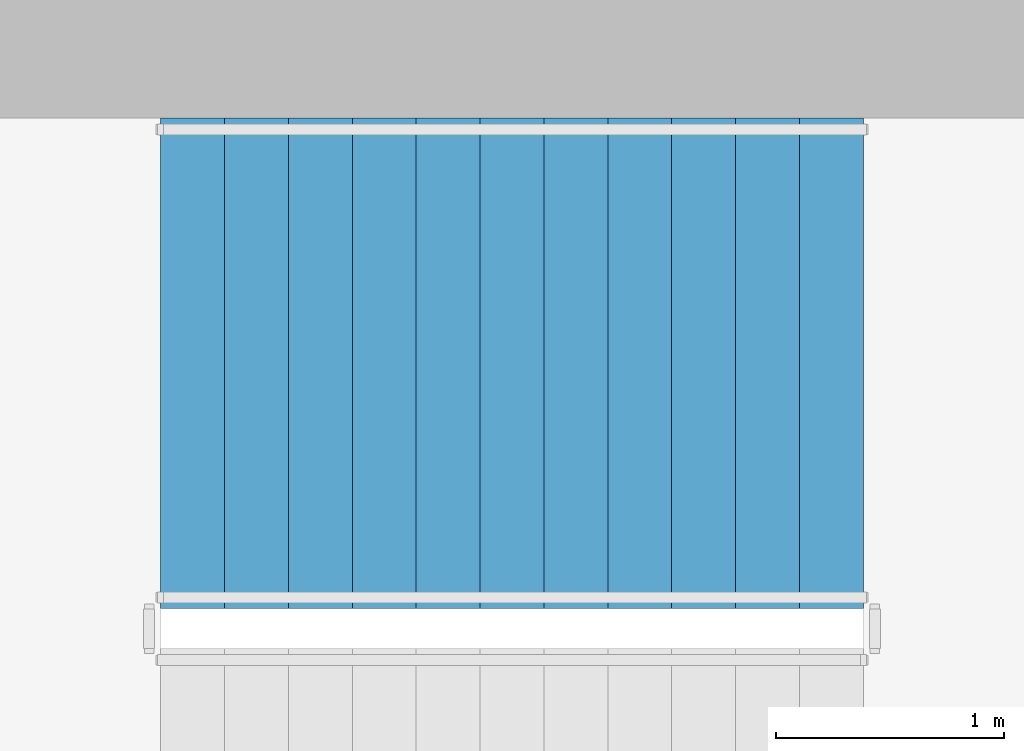
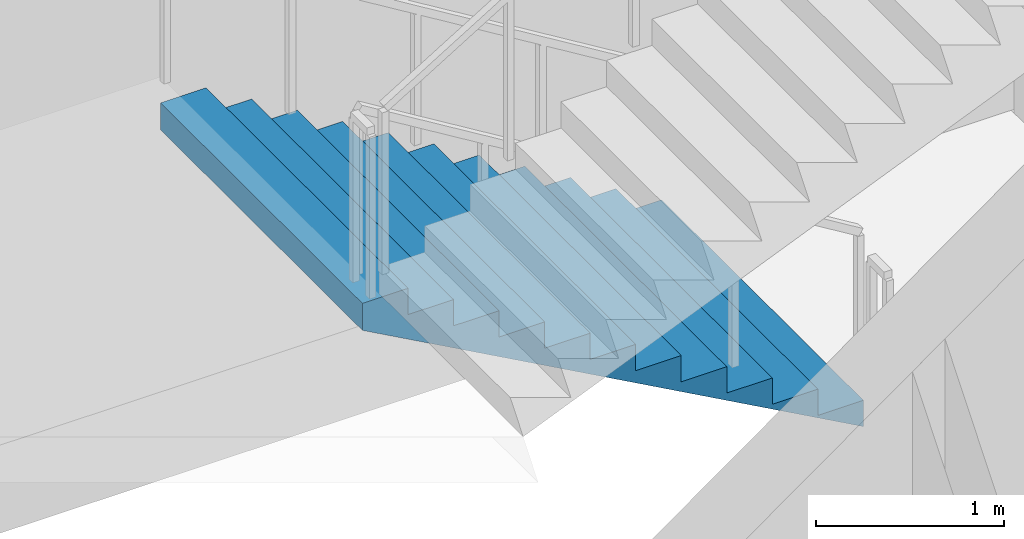
# One storey, part 10 of 15: 1 stair flight, 1 element without a shape of its own.
"""IFC4 building model written with IfcOpenShell, lengths in metres."""

from ifc_helpers import new_model, si_unit, direction, frame, origin, place, context, subcontext, project, spatial, triangles, material, type_object, element, aggregate, save


model = new_model("IFC4")

# Units and contexts
model_context = context("Model", 3, precision=1e-05, world=origin(), true_north=direction((0.0, 1.0)))
body_context = subcontext(model_context, "Body", "Model", "MODEL_VIEW")
ifc_project = project(units=[si_unit("LENGTHUNIT", "METRE"), si_unit("AREAUNIT", "SQUARE_METRE"), si_unit("VOLUMEUNIT", "CUBIC_METRE"), si_unit("PLANEANGLEUNIT", "RADIAN"), si_unit("MASSUNIT", "GRAM", prefix="KILO")], contexts=[model_context])

# Site, building, storey
site_placement = place(None, origin())
site = spatial("IfcSite", under=ifc_project, at=site_placement, CompositionType="ELEMENT")
building_placement = place(site_placement, origin())
building = spatial("IfcBuilding", under=site, at=building_placement, Name="Cypress Arch Tower", CompositionType="ELEMENT")
storey_placement = place(building_placement, frame((0.0, 0.0, 243.39990234375)))
storey = spatial("IfcBuildingStorey", under=building, at=storey_placement, Name="L54", CompositionType="ELEMENT", Elevation=243.39990234375)

# Stair, stair flight
ifc_material_1 = material(Name="Concrete C40/50", Category="concrete")
stair_type = type_object("IfcStairType", Name="Exit stair ES1708-215", PredefinedType="HALF_TURN_STAIR", material=ifc_material_1)
stair_placement = place(storey_placement, origin())
stair = element("IfcStair", 1, at=stair_placement, inside=storey, type_object=stair_type, Name="L54 Exit stair B", PredefinedType="HALF_TURN_STAIR")
ifc_material_2 = material(Name="Concrete C40/50", Category="concrete")
stair_flight_type = type_object("IfcStairFlightType", Name="Exit stair flight ES1708-215", PredefinedType="STRAIGHT", material=ifc_material_2)
stair_flight_placement = place(storey_placement, frame((-22.27490234375, 13.72509765625, 0.0), z_axis=(0.0, 0.0, 1.0), x_axis=(-1.0, 0.0, 0.0)))
stair_flight = element("IfcStairFlight", 2, at=stair_flight_placement, type_object=stair_flight_type, Name="B flight 1", NumberOfRisers=12, NumberOfTreads=11, PredefinedType="STRAIGHT", RiserHeight=0.170833333, TreadLength=0.28, context=body_context, shape_type="Tessellation", body=[
    triangles([(0.0, -1.074951171875, 0.0), (0.000244140625, -1.074951171875, 0.01904296875), (0.000244140625, -1.074951171875, 0.0380859375), (0.00048828125, -1.074951171875, 0.056884765625), (0.00048828125, -1.074951171875, 0.075927734375), (0.00048828125, -1.074951171875, 0.094970703125), (0.00048828125, -1.074951171875, 0.114013671875), (0.000244140625, -1.074951171875, 0.1328125), (0.000244140625, -1.074951171875, 0.15185546875), (0.0, -1.074951171875, 0.1708984375), (0.280029296875, -1.074951171875, 0.1708984375), (0.280029296875, -1.074951171875, 0.341552734375), (0.56005859375, -1.074951171875, 0.341552734375), (0.56005859375, -1.074951171875, 0.512451171875), (0.840087890625, -1.074951171875, 0.512451171875), (0.840087890625, -1.074951171875, 0.683349609375), (1.1201171875, -1.074951171875, 0.683349609375), (1.1201171875, -1.074951171875, 0.854248046875), (1.39990234375, -1.074951171875, 0.854248046875), (1.39990234375, -1.074951171875, 1.02490234375), (1.679931640625, -1.074951171875, 1.02490234375), (1.679931640625, -1.074951171875, 1.19580078125), (1.9599609375, -1.074951171875, 1.19580078125), (1.9599609375, -1.074951171875, 1.36669921875), (2.239990234375, -1.074951171875, 1.36669921875), (2.239990234375, -1.074951171875, 1.53759765625), (2.52001953125, -1.074951171875, 1.53759765625), (2.52001953125, -1.074951171875, 1.708251953125), (2.800048828125, -1.074951171875, 1.708251953125), (2.800048828125, -1.074951171875, 1.879150390625), (3.080078125, -1.074951171875, 1.879150390625), (3.079833984375, -1.074951171875, 1.859619140625), (3.079833984375, -1.074951171875, 1.840087890625), (3.07958984375, -1.074951171875, 1.820556640625), (3.07958984375, -1.074951171875, 1.801025390625), (3.07958984375, -1.074951171875, 1.78173828125), (3.07958984375, -1.074951171875, 1.76220703125), (3.079833984375, -1.074951171875, 1.74267578125), (3.079833984375, -1.074951171875, 1.72314453125), (3.080078125, -1.074951171875, 1.70361328125), (3.080078125, 1.074951171875, 1.70361328125), (3.079833984375, 1.074951171875, 1.72314453125), (3.079833984375, 1.074951171875, 1.74267578125), (3.07958984375, 1.074951171875, 1.76220703125), (3.07958984375, 1.074951171875, 1.78173828125), (3.07958984375, 1.074951171875, 1.801025390625), (3.07958984375, 1.074951171875, 1.820556640625), (3.079833984375, 1.074951171875, 1.840087890625), (3.079833984375, 1.074951171875, 1.859619140625), (3.080078125, 1.074951171875, 1.879150390625), (2.800048828125, 1.074951171875, 1.879150390625), (2.800048828125, 1.074951171875, 1.708251953125), (2.52001953125, 1.074951171875, 1.708251953125), (2.52001953125, 1.074951171875, 1.53759765625), (2.239990234375, 1.074951171875, 1.53759765625), (2.239990234375, 1.074951171875, 1.36669921875), (1.9599609375, 1.074951171875, 1.36669921875), (1.9599609375, 1.074951171875, 1.19580078125), (1.679931640625, 1.074951171875, 1.19580078125), (1.679931640625, 1.074951171875, 1.02490234375), (1.39990234375, 1.074951171875, 1.02490234375), (1.39990234375, 1.074951171875, 0.854248046875), (1.1201171875, 1.074951171875, 0.854248046875), (1.1201171875, 1.074951171875, 0.683349609375), (0.840087890625, 1.074951171875, 0.683349609375), (0.840087890625, 1.074951171875, 0.512451171875), (0.56005859375, 1.074951171875, 0.512451171875), (0.56005859375, 1.074951171875, 0.341552734375), (0.280029296875, 1.074951171875, 0.341552734375), (0.280029296875, 1.074951171875, 0.1708984375), (0.0, 1.074951171875, 0.1708984375), (0.000244140625, 1.074951171875, 0.15185546875), (0.000244140625, 1.074951171875, 0.1328125), (0.00048828125, 1.074951171875, 0.114013671875), (0.00048828125, 1.074951171875, 0.094970703125), (0.00048828125, 1.074951171875, 0.075927734375), (0.00048828125, 1.074951171875, 0.056884765625), (0.000244140625, 1.074951171875, 0.0380859375), (0.000244140625, 1.074951171875, 0.01904296875), (0.0, 1.074951171875, 0.0)], [[40, 39, 30], [39, 38, 30], [38, 37, 30], [37, 36, 30], [36, 35, 30], [35, 34, 30], [34, 33, 30], [33, 32, 30], [32, 31, 30], [19, 18, 17], [27, 26, 25], [25, 24, 23], [23, 22, 21], [17, 16, 15], [15, 14, 13], [10, 9, 11], [9, 8, 11], [8, 7, 11], [7, 6, 11], [6, 5, 11], [5, 4, 11], [4, 3, 11], [3, 2, 11], [2, 1, 11], [29, 28, 27], [21, 20, 19], [13, 12, 11], [40, 30, 29], [40, 29, 27], [40, 27, 25], [40, 25, 23], [40, 23, 21], [40, 21, 19], [40, 19, 17], [40, 17, 15], [40, 15, 13], [1, 40, 13], [13, 11, 1], [41, 51, 42], [42, 51, 43], [43, 51, 44], [44, 51, 45], [45, 51, 46], [46, 51, 47], [47, 51, 48], [48, 51, 49], [49, 51, 50], [62, 64, 63], [54, 56, 55], [56, 58, 57], [58, 60, 59], [64, 66, 65], [66, 68, 67], [71, 70, 72], [72, 70, 73], [73, 70, 74], [74, 70, 75], [75, 70, 76], [76, 70, 77], [77, 70, 78], [78, 70, 79], [79, 70, 80], [52, 54, 53], [60, 62, 61], [68, 70, 69], [41, 52, 51], [41, 54, 52], [41, 56, 54], [41, 58, 56], [41, 60, 58], [41, 62, 60], [41, 64, 62], [41, 66, 64], [41, 68, 66], [80, 68, 41], [68, 80, 70], [41, 42, 39], [41, 39, 40], [42, 43, 38], [42, 38, 39], [43, 44, 37], [43, 37, 38], [44, 45, 36], [44, 36, 37], [45, 46, 35], [45, 35, 36], [46, 47, 34], [46, 34, 35], [47, 48, 33], [47, 33, 34], [48, 49, 32], [48, 32, 33], [49, 50, 31], [49, 31, 32], [50, 51, 30], [50, 30, 31], [51, 52, 29], [51, 29, 30], [52, 53, 28], [52, 28, 29], [53, 54, 27], [53, 27, 28], [54, 55, 26], [54, 26, 27], [55, 56, 25], [55, 25, 26], [56, 57, 24], [56, 24, 25], [57, 58, 23], [57, 23, 24], [58, 59, 22], [58, 22, 23], [59, 60, 21], [59, 21, 22], [60, 61, 20], [60, 20, 21], [61, 62, 19], [61, 19, 20], [62, 63, 18], [62, 18, 19], [63, 64, 17], [63, 17, 18], [64, 65, 16], [64, 16, 17], [65, 66, 15], [65, 15, 16], [66, 67, 14], [66, 14, 15], [67, 68, 13], [67, 13, 14], [68, 69, 12], [68, 12, 13], [69, 70, 11], [69, 11, 12], [70, 71, 10], [70, 10, 11], [71, 72, 9], [71, 9, 10], [72, 73, 8], [72, 8, 9], [73, 74, 7], [73, 7, 8], [74, 75, 6], [74, 6, 7], [75, 76, 5], [75, 5, 6], [76, 77, 4], [76, 4, 5], [77, 78, 3], [77, 3, 4], [78, 79, 2], [78, 2, 3], [79, 80, 1], [79, 1, 2], [80, 41, 40], [80, 40, 1]], closed=True),
])
aggregate(stair, [stair_flight])

save(model, "model.ifc")
